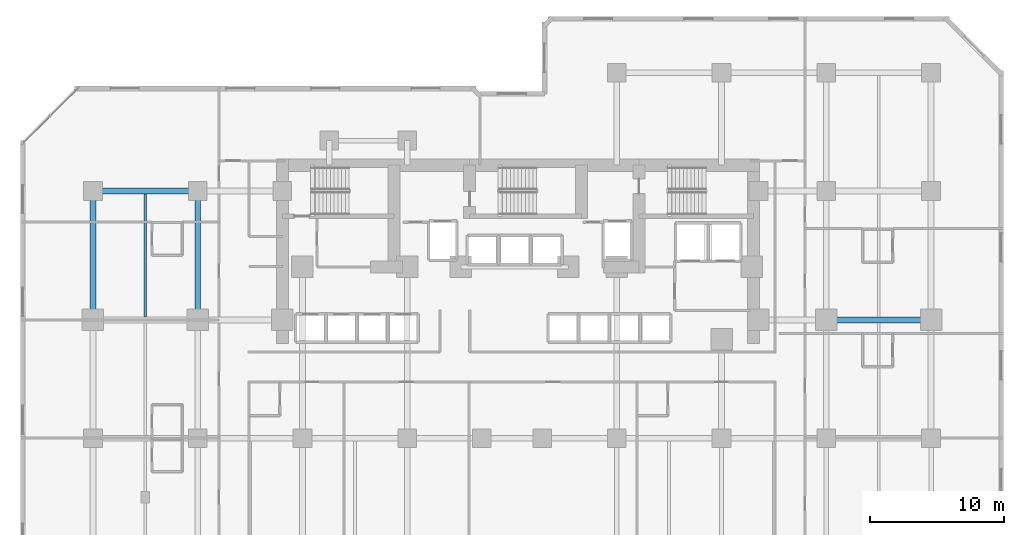
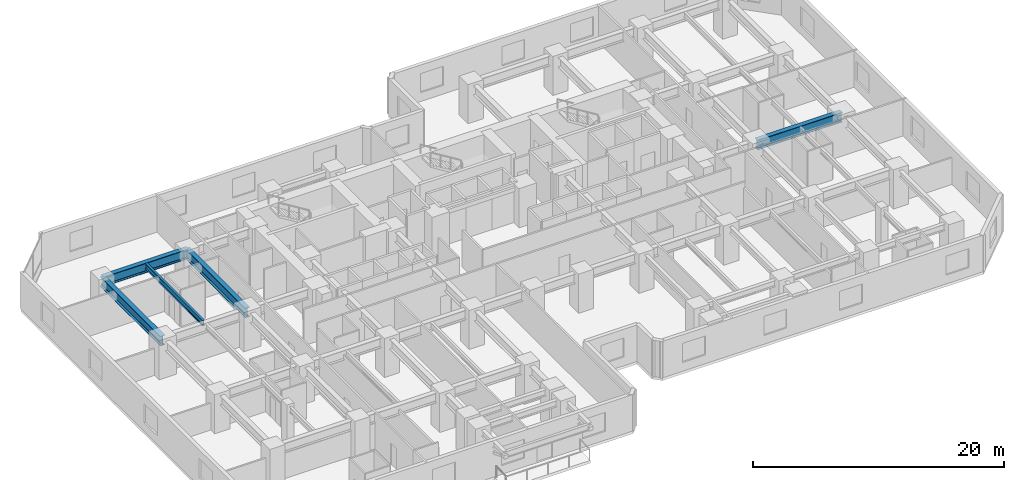
# One storey, part 2 of 11: 5 beams.
"""IFC4 building model written with IfcOpenShell, lengths in metres."""

from ifc_helpers import new_model, si_unit, direction, frame, origin, origin_2d, place, context, subcontext, project, spatial, i_section, extrude, material, material_profile, profile_set, type_object, element, save


model = new_model("IFC4")

# Units and contexts
model_context = context("Model", 3, precision=1e-05, world=origin(), true_north=direction((0.0, 1.0)))
body_context = subcontext(model_context, "Body", "Model", "MODEL_VIEW")
ifc_project = project(units=[si_unit("LENGTHUNIT", "METRE"), si_unit("AREAUNIT", "SQUARE_METRE"), si_unit("VOLUMEUNIT", "CUBIC_METRE"), si_unit("PLANEANGLEUNIT", "RADIAN"), si_unit("MASSUNIT", "GRAM", prefix="KILO")], contexts=[model_context])

# Site, building, storey
site_placement = place(None, origin())
site = spatial("IfcSite", under=ifc_project, at=site_placement, CompositionType="ELEMENT")
building_placement = place(site_placement, origin())
building = spatial("IfcBuilding", under=site, at=building_placement, Name="Kestravale Grand Hotel", CompositionType="ELEMENT")
storey_placement = place(building_placement, frame((0.0, 0.0, 29.800048828125)))
storey = spatial("IfcBuildingStorey", under=building, at=storey_placement, Name="L06", CompositionType="ELEMENT", Elevation=29.800048828125)

# Beams
ifc_material_1 = material(Name="Steel ASTM A992 Grade 50", Category="steel")
ifc_material_profile_1 = material_profile(ifc_material_1, i_section(OverallWidth=0.2099609375, OverallDepth=0.535888671875, WebThickness=0.010986328125, FlangeThickness=0.017333984375, FilletRadius=0.017578125, at=origin_2d()))
ifc_profile_set_1 = profile_set([ifc_material_profile_1], Name="Steel ASTM A992 Grade 50")
beam_type_1 = type_object("IfcBeamType", Name="B-FLR-JST21", PredefinedType="JOIST", material=ifc_profile_set_1)
beam_placement = place(storey_placement, frame((11.699951171875, 29.011962890625, 3.27197265625), z_axis=(0.0, 1.0, 0.0), x_axis=(-1.0, 0.0, 0.0)))
element("IfcBeam", 1, at=beam_placement, inside=storey, type_object=beam_type_1, Name="L06 floor joist 2-3/E-F #1", PredefinedType="JOIST", context=body_context, shape_type="SweptSolid", body=[
    extrude(i_section(OverallWidth=0.2099609375, OverallDepth=0.535888671875, WebThickness=0.010986328125, FlangeThickness=0.017333984375, FilletRadius=0.017578125, at=origin_2d()), origin(), (0.0, 0.0, 1.0), 9.176025390625),
])
ifc_material_2 = material(Name="Steel ASTM A992 Grade 50", Category="steel")
ifc_material_profile_2 = material_profile(ifc_material_2, i_section(OverallWidth=0.424072265625, OverallDepth=0.947021484375, WebThickness=0.02392578125, FlangeThickness=0.042724609375, FilletRadius=0.0283203125, at=origin_2d()))
ifc_profile_set_2 = profile_set([ifc_material_profile_2], Name="Steel ASTM A992 Grade 50")
beam_type_2 = type_object("IfcBeamType", Name="B-GRD-W36", PredefinedType="BEAM", material=ifc_profile_set_2)
for number, where, z_axis, x_axis, name in (
    (2, (62.39990234375, 28.800048828125, 3.06640625), (1.0, 0.0, 0.0), (0.0, 1.0, 0.0), "L06 girder E:10-11"),
    (3, (7.800048828125, 38.39990234375, 3.06640625), (1.0, 0.0, 0.0), (0.0, 1.0, 0.0), "L06 girder F:2-3"),
):
    element("IfcBeam", number, at=place(storey_placement, frame(where, z_axis=z_axis, x_axis=x_axis)), inside=storey, type_object=beam_type_2, Name=name, PredefinedType="BEAM", context=body_context, shape_type="SweptSolid", body=[
        extrude(i_section(OverallWidth=0.424072265625, OverallDepth=0.947021484375, WebThickness=0.02392578125, FlangeThickness=0.042724609375, FilletRadius=0.0283203125, at=origin_2d()), origin(), (0.0, 0.0, 1.0), 7.800048828125),
    ])
for number, where, z_axis, x_axis, name in (
    (4, (7.800048828125, 28.800048828125, 3.06640625), (0.0, 1.0, 0.0), (-1.0, 0.0, 0.0), "L06 girder 2:E-F"),
    (5, (15.60009765625, 28.800048828125, 3.06640625), (0.0, 1.0, 0.0), (-1.0, 0.0, 0.0), "L06 girder 3:E-F"),
):
    element("IfcBeam", number, at=place(storey_placement, frame(where, z_axis=z_axis, x_axis=x_axis)), inside=storey, type_object=beam_type_2, Name=name, PredefinedType="BEAM", context=body_context, shape_type="SweptSolid", body=[
        extrude(i_section(OverallWidth=0.424072265625, OverallDepth=0.947021484375, WebThickness=0.02392578125, FlangeThickness=0.042724609375, FilletRadius=0.0283203125, at=origin_2d()), origin(), (0.0, 0.0, 1.0), 9.599853515625),
    ])

save(model, "model.ifc")
